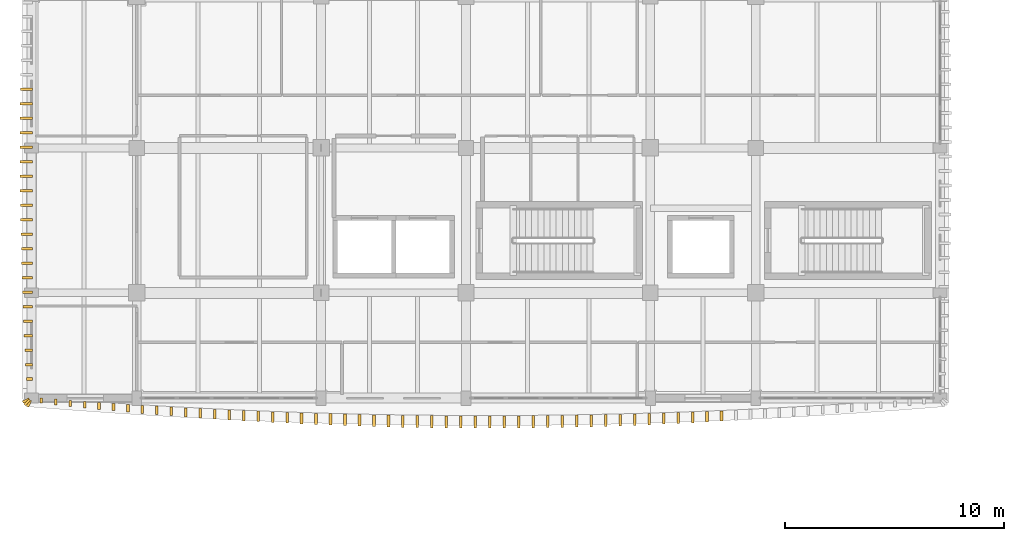
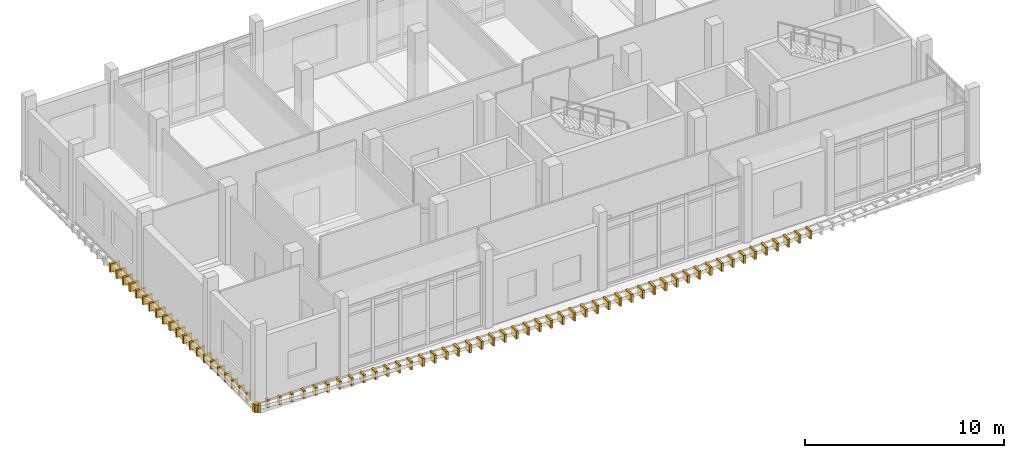
# One storey, part 34 of 39: 72 coverings.
"""IFC4 building model written with IfcOpenShell, lengths in metres."""

from ifc_helpers import new_model, si_unit, direction, frame, origin, origin_2d, place, context, subcontext, project, spatial, rectangle, extrude, material, layer, layer_set, type_object, element, save


model = new_model("IFC4")

# Units and contexts
model_context = context("Model", 3, precision=1e-05, world=origin(), true_north=direction((0.0, 1.0)))
body_context = subcontext(model_context, "Body", "Model", "MODEL_VIEW")
ifc_project = project(units=[si_unit("LENGTHUNIT", "METRE"), si_unit("AREAUNIT", "SQUARE_METRE"), si_unit("VOLUMEUNIT", "CUBIC_METRE"), si_unit("PLANEANGLEUNIT", "RADIAN"), si_unit("MASSUNIT", "GRAM", prefix="KILO")], contexts=[model_context])

# Site, building, storey
site_placement = place(None, origin())
site = spatial("IfcSite", under=ifc_project, at=site_placement, CompositionType="ELEMENT")
building_placement = place(site_placement, origin())
building = spatial("IfcBuilding", under=site, at=building_placement, Name="Dornvale Research Institute", CompositionType="ELEMENT")
storey_placement = place(building_placement, frame((0.0, 0.0, 24.60009765625)))
storey = spatial("IfcBuildingStorey", under=building, at=storey_placement, Name="L05", CompositionType="ELEMENT", Elevation=24.60009765625)

# Coverings
ifc_material = material(Name="Polychrome Glazed Terracotta Visor Rib Ceramic", Category="masonry")
ifc_layer = layer(ifc_material, 0.1201171875)
ifc_layer_set = layer_set([ifc_layer], Name="Polychrome Glazed Terracotta Visor Rib Ceramic")
covering_type = type_object("IfcCoveringType", Name="Covering_VisorBlade_Main", PredefinedType="CLADDING", material=ifc_layer_set)
covering_1_placement = place(storey_placement, frame((0.448486328125, 98.88720703125, -0.489990234375), z_axis=(0.0, 0.0, 1.0), x_axis=(0.0, 1.0, 0.0)))
element("IfcCovering", 1, at=covering_1_placement, inside=storey, type_object=covering_type, Name="L05 V5 canted glazed terracotta visor blade #787", PredefinedType="CLADDING", context=body_context, shape_type="SweptSolid", body=[
    extrude(rectangle(XDim=0.235107421875, YDim=0.1201171875, at=origin_2d()), origin(), (0.0, 0.0, 1.0), 0.5),
])
covering_2_placement = place(storey_placement, frame((1.106689453125, 98.8251953125, -0.489990234375), z_axis=(0.0, 0.0, 1.0), x_axis=(0.0, 1.0, 0.0)))
element("IfcCovering", 2, at=covering_2_placement, inside=storey, type_object=covering_type, Name="L05 V5 canted glazed terracotta visor blade #788", PredefinedType="CLADDING", context=body_context, shape_type="SweptSolid", body=[
    extrude(rectangle(XDim=0.2548828125, YDim=0.1201171875, at=origin_2d()), origin(), (0.0, 0.0, 1.0), 0.5),
])
covering_3_placement = place(storey_placement, frame((1.7646484375, 98.763671875, -0.489990234375), z_axis=(0.0, 0.0, 1.0), x_axis=(0.0, 1.0, 0.0)))
element("IfcCovering", 3, at=covering_3_placement, inside=storey, type_object=covering_type, Name="L05 V5 canted glazed terracotta visor blade #789", PredefinedType="CLADDING", context=body_context, shape_type="SweptSolid", body=[
    extrude(rectangle(XDim=0.27587890625, YDim=0.1201171875, at=origin_2d()), origin(), (0.0, 0.0, 1.0), 0.5),
])
covering_4_placement = place(storey_placement, frame((2.4228515625, 98.70654296875, -0.489990234375), z_axis=(0.0, 0.0, 1.0), x_axis=(0.0, 1.0, 0.0)))
element("IfcCovering", 4, at=covering_4_placement, inside=storey, type_object=covering_type, Name="L05 V5 canted glazed terracotta visor blade #790", PredefinedType="CLADDING", context=body_context, shape_type="SweptSolid", body=[
    extrude(rectangle(XDim=0.294921875, YDim=0.1201171875, at=origin_2d()), origin(), (0.0, 0.0, 1.0), 0.5),
])
covering_5_placement = place(storey_placement, frame((3.0810546875, 98.6494140625, -0.489990234375), z_axis=(0.0, 0.0, 1.0), x_axis=(0.0, 1.0, 0.0)))
element("IfcCovering", 5, at=covering_5_placement, inside=storey, type_object=covering_type, Name="L05 V5 canted glazed terracotta visor blade #791", PredefinedType="CLADDING", context=body_context, shape_type="SweptSolid", body=[
    extrude(rectangle(XDim=0.31396484375, YDim=0.1201171875, at=origin_2d()), origin(), (0.0, 0.0, 1.0), 0.5),
])
covering_6_placement = place(storey_placement, frame((3.739501953125, 98.595703125, -0.489990234375), z_axis=(0.0, 0.0, 1.0), x_axis=(0.0, 1.0, 0.0)))
element("IfcCovering", 6, at=covering_6_placement, inside=storey, type_object=covering_type, Name="L05 V5 canted glazed terracotta visor blade #792", PredefinedType="CLADDING", context=body_context, shape_type="SweptSolid", body=[
    extrude(rectangle(XDim=0.33203125, YDim=0.1201171875, at=origin_2d()), origin(), (0.0, 0.0, 1.0), 0.5),
])
covering_7_placement = place(storey_placement, frame((4.398193359375, 98.5439453125, -0.489990234375), z_axis=(0.0, 0.0, 1.0), x_axis=(0.0, 1.0, 0.0)))
element("IfcCovering", 7, at=covering_7_placement, inside=storey, type_object=covering_type, Name="L05 V5 canted glazed terracotta visor blade #793", PredefinedType="CLADDING", context=body_context, shape_type="SweptSolid", body=[
    extrude(rectangle(XDim=0.34912109375, YDim=0.1201171875, at=origin_2d()), origin(), (0.0, 0.0, 1.0), 0.5),
])
covering_8_placement = place(storey_placement, frame((5.056884765625, 98.49267578125, -0.489990234375), z_axis=(0.0, 0.0, 1.0), x_axis=(0.0, 1.0, 0.0)))
element("IfcCovering", 8, at=covering_8_placement, inside=storey, type_object=covering_type, Name="L05 V5 canted glazed terracotta visor blade #794", PredefinedType="CLADDING", context=body_context, shape_type="SweptSolid", body=[
    extrude(rectangle(XDim=0.365966796875, YDim=0.1201171875, at=origin_2d()), origin(), (0.0, 0.0, 1.0), 0.5),
])
covering_9_placement = place(storey_placement, frame((5.7158203125, 98.44580078125, -0.489990234375), z_axis=(0.0, 0.0, 1.0), x_axis=(0.0, 1.0, 0.0)))
element("IfcCovering", 9, at=covering_9_placement, inside=storey, type_object=covering_type, Name="L05 V5 canted glazed terracotta visor blade #795", PredefinedType="CLADDING", context=body_context, shape_type="SweptSolid", body=[
    extrude(rectangle(XDim=0.382080078125, YDim=0.1201171875, at=origin_2d()), origin(), (0.0, 0.0, 1.0), 0.5),
])
covering_10_placement = place(storey_placement, frame((6.37451171875, 98.3994140625, -0.489990234375), z_axis=(0.0, 0.0, 1.0), x_axis=(0.0, 1.0, 0.0)))
element("IfcCovering", 10, at=covering_10_placement, inside=storey, type_object=covering_type, Name="L05 V5 canted glazed terracotta visor blade #796", PredefinedType="CLADDING", context=body_context, shape_type="SweptSolid", body=[
    extrude(rectangle(XDim=0.39697265625, YDim=0.1201171875, at=origin_2d()), origin(), (0.0, 0.0, 1.0), 0.5),
])
covering_11_placement = place(storey_placement, frame((7.033447265625, 98.35546875, -0.489990234375), z_axis=(0.0, 0.0, 1.0), x_axis=(0.0, 1.0, 0.0)))
element("IfcCovering", 11, at=covering_11_placement, inside=storey, type_object=covering_type, Name="L05 V5 canted glazed terracotta visor blade #797", PredefinedType="CLADDING", context=body_context, shape_type="SweptSolid", body=[
    extrude(rectangle(XDim=0.412109375, YDim=0.1201171875, at=origin_2d()), origin(), (0.0, 0.0, 1.0), 0.5),
])
covering_12_placement = place(storey_placement, frame((7.692626953125, 98.31396484375, -0.489990234375), z_axis=(0.0, 0.0, 1.0), x_axis=(0.0, 1.0, 0.0)))
element("IfcCovering", 12, at=covering_12_placement, inside=storey, type_object=covering_type, Name="L05 V5 canted glazed terracotta visor blade #798", PredefinedType="CLADDING", context=body_context, shape_type="SweptSolid", body=[
    extrude(rectangle(XDim=0.426025390625, YDim=0.1201171875, at=origin_2d()), origin(), (0.0, 0.0, 1.0), 0.5),
])
covering_13_placement = place(storey_placement, frame((8.351806640625, 98.273193359375, -0.489990234375), z_axis=(0.0, 0.0, 1.0), x_axis=(0.0, 1.0, 0.0)))
element("IfcCovering", 13, at=covering_13_placement, inside=storey, type_object=covering_type, Name="L05 V5 canted glazed terracotta visor blade #799", PredefinedType="CLADDING", context=body_context, shape_type="SweptSolid", body=[
    extrude(rectangle(XDim=0.43896484375, YDim=0.1201171875, at=origin_2d()), origin(), (0.0, 0.0, 1.0), 0.5),
])
covering_14_placement = place(storey_placement, frame((9.010986328125, 98.236328125, -0.489990234375), z_axis=(0.0, 0.0, 1.0), x_axis=(0.0, 1.0, 0.0)))
element("IfcCovering", 14, at=covering_14_placement, inside=storey, type_object=covering_type, Name="L05 V5 canted glazed terracotta visor blade #800", PredefinedType="CLADDING", context=body_context, shape_type="SweptSolid", body=[
    extrude(rectangle(XDim=0.451904296875, YDim=0.1201171875, at=origin_2d()), origin(), (0.0, 0.0, 1.0), 0.5),
])
covering_15_placement = place(storey_placement, frame((9.67041015625, 98.199951171875, -0.489990234375), z_axis=(0.0, 0.0, 1.0), x_axis=(0.0, 1.0, 0.0)))
element("IfcCovering", 15, at=covering_15_placement, inside=storey, type_object=covering_type, Name="L05 V5 canted glazed terracotta visor blade #801", PredefinedType="CLADDING", context=body_context, shape_type="SweptSolid", body=[
    extrude(rectangle(XDim=0.464111328125, YDim=0.1201171875, at=origin_2d()), origin(), (0.0, 0.0, 1.0), 0.5),
])
covering_16_placement = place(storey_placement, frame((10.32958984375, 98.166748046875, -0.489990234375), z_axis=(0.0, 0.0, 1.0), x_axis=(0.0, 1.0, 0.0)))
element("IfcCovering", 16, at=covering_16_placement, inside=storey, type_object=covering_type, Name="L05 V5 canted glazed terracotta visor blade #802", PredefinedType="CLADDING", context=body_context, shape_type="SweptSolid", body=[
    extrude(rectangle(XDim=0.47509765625, YDim=0.1201171875, at=origin_2d()), origin(), (0.0, 0.0, 1.0), 0.5),
])
covering_17_placement = place(storey_placement, frame((10.9892578125, 98.1357421875, -0.489990234375), z_axis=(0.0, 0.0, 1.0), x_axis=(0.0, 1.0, 0.0)))
element("IfcCovering", 17, at=covering_17_placement, inside=storey, type_object=covering_type, Name="L05 V5 canted glazed terracotta visor blade #803", PredefinedType="CLADDING", context=body_context, shape_type="SweptSolid", body=[
    extrude(rectangle(XDim=0.485107421875, YDim=0.1201171875, at=origin_2d()), origin(), (0.0, 0.0, 1.0), 0.5),
])
covering_18_placement = place(storey_placement, frame((11.648681640625, 98.105224609375, -0.489990234375), z_axis=(0.0, 0.0, 1.0), x_axis=(0.0, 1.0, 0.0)))
element("IfcCovering", 18, at=covering_18_placement, inside=storey, type_object=covering_type, Name="L05 V5 canted glazed terracotta visor blade #804", PredefinedType="CLADDING", context=body_context, shape_type="SweptSolid", body=[
    extrude(rectangle(XDim=0.4951171875, YDim=0.1201171875, at=origin_2d()), origin(), (0.0, 0.0, 1.0), 0.5),
])
covering_19_placement = place(storey_placement, frame((12.308349609375, 98.0791015625, -0.489990234375), z_axis=(0.0, 0.0, 1.0), x_axis=(0.0, 1.0, 0.0)))
element("IfcCovering", 19, at=covering_19_placement, inside=storey, type_object=covering_type, Name="L05 V5 canted glazed terracotta visor blade #805", PredefinedType="CLADDING", context=body_context, shape_type="SweptSolid", body=[
    extrude(rectangle(XDim=0.50390625, YDim=0.1201171875, at=origin_2d()), origin(), (0.0, 0.0, 1.0), 0.5),
])
covering_20_placement = place(storey_placement, frame((12.968017578125, 98.052978515625, -0.489990234375), z_axis=(0.0, 0.0, 1.0), x_axis=(0.0, 1.0, 0.0)))
element("IfcCovering", 20, at=covering_20_placement, inside=storey, type_object=covering_type, Name="L05 V5 canted glazed terracotta visor blade #806", PredefinedType="CLADDING", context=body_context, shape_type="SweptSolid", body=[
    extrude(rectangle(XDim=0.512939453125, YDim=0.1201171875, at=origin_2d()), origin(), (0.0, 0.0, 1.0), 0.5),
])
covering_21_placement = place(storey_placement, frame((13.627685546875, 98.0302734375, -0.489990234375), z_axis=(0.0, 0.0, 1.0), x_axis=(0.0, 1.0, 0.0)))
element("IfcCovering", 21, at=covering_21_placement, inside=storey, type_object=covering_type, Name="L05 V5 canted glazed terracotta visor blade #807", PredefinedType="CLADDING", context=body_context, shape_type="SweptSolid", body=[
    extrude(rectangle(XDim=0.52001953125, YDim=0.1201171875, at=origin_2d()), origin(), (0.0, 0.0, 1.0), 0.5),
])
covering_22_placement = place(storey_placement, frame((14.28759765625, 98.00927734375, -0.489990234375), z_axis=(0.0, 0.0, 1.0), x_axis=(0.0, 1.0, 0.0)))
element("IfcCovering", 22, at=covering_22_placement, inside=storey, type_object=covering_type, Name="L05 V5 canted glazed terracotta visor blade #808", PredefinedType="CLADDING", context=body_context, shape_type="SweptSolid", body=[
    extrude(rectangle(XDim=0.527099609375, YDim=0.1201171875, at=origin_2d()), origin(), (0.0, 0.0, 1.0), 0.5),
])
covering_23_placement = place(storey_placement, frame((14.947265625, 97.98876953125, -0.489990234375), z_axis=(0.0, 0.0, 1.0), x_axis=(0.0, 1.0, 0.0)))
element("IfcCovering", 23, at=covering_23_placement, inside=storey, type_object=covering_type, Name="L05 V5 canted glazed terracotta visor blade #809", PredefinedType="CLADDING", context=body_context, shape_type="SweptSolid", body=[
    extrude(rectangle(XDim=0.533935546875, YDim=0.1201171875, at=origin_2d()), origin(), (0.0, 0.0, 1.0), 0.5),
])
covering_24_placement = place(storey_placement, frame((15.607177734375, 97.973388671875, -0.489990234375), z_axis=(0.0, 0.0, 1.0), x_axis=(0.0, 1.0, 0.0)))
element("IfcCovering", 24, at=covering_24_placement, inside=storey, type_object=covering_type, Name="L05 V5 canted glazed terracotta visor blade #810", PredefinedType="CLADDING", context=body_context, shape_type="SweptSolid", body=[
    extrude(rectangle(XDim=0.5390625, YDim=0.1201171875, at=origin_2d()), origin(), (0.0, 0.0, 1.0), 0.5),
])
covering_25_placement = place(storey_placement, frame((16.26708984375, 97.957763671875, -0.489990234375), z_axis=(0.0, 0.0, 1.0), x_axis=(0.0, 1.0, 0.0)))
element("IfcCovering", 25, at=covering_25_placement, inside=storey, type_object=covering_type, Name="L05 V5 canted glazed terracotta visor blade #811", PredefinedType="CLADDING", context=body_context, shape_type="SweptSolid", body=[
    extrude(rectangle(XDim=0.5439453125, YDim=0.1201171875, at=origin_2d()), origin(), (0.0, 0.0, 1.0), 0.5),
])
covering_26_placement = place(storey_placement, frame((16.927001953125, 97.944580078125, -0.489990234375), z_axis=(0.0, 0.0, 1.0), x_axis=(0.0, 1.0, 0.0)))
element("IfcCovering", 26, at=covering_26_placement, inside=storey, type_object=covering_type, Name="L05 V5 canted glazed terracotta visor blade #812", PredefinedType="CLADDING", context=body_context, shape_type="SweptSolid", body=[
    extrude(rectangle(XDim=0.549072265625, YDim=0.1201171875, at=origin_2d()), origin(), (0.0, 0.0, 1.0), 0.5),
])
covering_27_placement = place(storey_placement, frame((17.5869140625, 97.9345703125, -0.489990234375), z_axis=(0.0, 0.0, 1.0), x_axis=(0.0, 1.0, 0.0)))
element("IfcCovering", 27, at=covering_27_placement, inside=storey, type_object=covering_type, Name="L05 V5 canted glazed terracotta visor blade #813", PredefinedType="CLADDING", context=body_context, shape_type="SweptSolid", body=[
    extrude(rectangle(XDim=0.552001953125, YDim=0.1201171875, at=origin_2d()), origin(), (0.0, 0.0, 1.0), 0.5),
])
covering_28_placement = place(storey_placement, frame((18.246826171875, 97.924560546875, -0.489990234375), z_axis=(0.0, 0.0, 1.0), x_axis=(0.0, 1.0, 0.0)))
element("IfcCovering", 28, at=covering_28_placement, inside=storey, type_object=covering_type, Name="L05 V5 canted glazed terracotta visor blade #814", PredefinedType="CLADDING", context=body_context, shape_type="SweptSolid", body=[
    extrude(rectangle(XDim=0.554931640625, YDim=0.1201171875, at=origin_2d()), origin(), (0.0, 0.0, 1.0), 0.5),
])
covering_29_placement = place(storey_placement, frame((18.90673828125, 97.919189453125, -0.489990234375), z_axis=(0.0, 0.0, 1.0), x_axis=(0.0, 1.0, 0.0)))
element("IfcCovering", 29, at=covering_29_placement, inside=storey, type_object=covering_type, Name="L05 V5 canted glazed terracotta visor blade #815", PredefinedType="CLADDING", context=body_context, shape_type="SweptSolid", body=[
    extrude(rectangle(XDim=0.556884765625, YDim=0.1201171875, at=origin_2d()), origin(), (0.0, 0.0, 1.0), 0.5),
])
covering_30_placement = place(storey_placement, frame((19.56689453125, 97.913818359375, -0.489990234375), z_axis=(0.0, 0.0, 1.0), x_axis=(0.0, 1.0, 0.0)))
element("IfcCovering", 30, at=covering_30_placement, inside=storey, type_object=covering_type, Name="L05 V5 canted glazed terracotta visor blade #816", PredefinedType="CLADDING", context=body_context, shape_type="SweptSolid", body=[
    extrude(rectangle(XDim=0.55908203125, YDim=0.1201171875, at=origin_2d()), origin(), (0.0, 0.0, 1.0), 0.5),
])
for number, where, z_axis, x_axis, name in (
    (31, (20.226806640625, 97.911376953125, -0.489990234375), (0.0, 0.0, 1.0), (0.0, 1.0, 0.0), "L05 V5 canted glazed terracotta visor blade #817"),
    (32, (20.88671875, 97.911376953125, -0.489990234375), (0.0, 0.0, 1.0), (0.0, 1.0, 0.0), "L05 V5 canted glazed terracotta visor blade #818"),
):
    element("IfcCovering", number, at=place(storey_placement, frame(where, z_axis=z_axis, x_axis=x_axis)), inside=storey, type_object=covering_type, Name=name, PredefinedType="CLADDING", context=body_context, shape_type="SweptSolid", body=[
        extrude(rectangle(XDim=0.56005859375, YDim=0.1201171875, at=origin_2d()), origin(), (0.0, 0.0, 1.0), 0.5),
    ])
covering_31_placement = place(storey_placement, frame((21.546875, 97.912109375, -0.489990234375), z_axis=(0.0, 0.0, 1.0), x_axis=(0.0, 1.0, 0.0)))
element("IfcCovering", 33, at=covering_31_placement, inside=storey, type_object=covering_type, Name="L05 V5 canted glazed terracotta visor blade #819", PredefinedType="CLADDING", context=body_context, shape_type="SweptSolid", body=[
    extrude(rectangle(XDim=0.55908203125, YDim=0.1201171875, at=origin_2d()), origin(), (0.0, 0.0, 1.0), 0.5),
])
covering_32_placement = place(storey_placement, frame((22.206787109375, 97.916748046875, -0.489990234375), z_axis=(0.0, 0.0, 1.0), x_axis=(0.0, 1.0, 0.0)))
element("IfcCovering", 34, at=covering_32_placement, inside=storey, type_object=covering_type, Name="L05 V5 canted glazed terracotta visor blade #820", PredefinedType="CLADDING", context=body_context, shape_type="SweptSolid", body=[
    extrude(rectangle(XDim=0.55810546875, YDim=0.1201171875, at=origin_2d()), origin(), (0.0, 0.0, 1.0), 0.5),
])
covering_33_placement = place(storey_placement, frame((22.86669921875, 97.922119140625, -0.489990234375), z_axis=(0.0, 0.0, 1.0), x_axis=(0.0, 1.0, 0.0)))
element("IfcCovering", 35, at=covering_33_placement, inside=storey, type_object=covering_type, Name="L05 V5 canted glazed terracotta visor blade #821", PredefinedType="CLADDING", context=body_context, shape_type="SweptSolid", body=[
    extrude(rectangle(XDim=0.555908203125, YDim=0.1201171875, at=origin_2d()), origin(), (0.0, 0.0, 1.0), 0.5),
])
covering_34_placement = place(storey_placement, frame((23.526611328125, 97.9296875, -0.489990234375), z_axis=(0.0, 0.0, 1.0), x_axis=(0.0, 1.0, 0.0)))
element("IfcCovering", 36, at=covering_34_placement, inside=storey, type_object=covering_type, Name="L05 V5 canted glazed terracotta visor blade #822", PredefinedType="CLADDING", context=body_context, shape_type="SweptSolid", body=[
    extrude(rectangle(XDim=0.553955078125, YDim=0.1201171875, at=origin_2d()), origin(), (0.0, 0.0, 1.0), 0.5),
])
covering_35_placement = place(storey_placement, frame((24.186767578125, 97.9404296875, -0.489990234375), z_axis=(0.0, 0.0, 1.0), x_axis=(0.0, 1.0, 0.0)))
element("IfcCovering", 37, at=covering_35_placement, inside=storey, type_object=covering_type, Name="L05 V5 canted glazed terracotta visor blade #823", PredefinedType="CLADDING", context=body_context, shape_type="SweptSolid", body=[
    extrude(rectangle(XDim=0.550048828125, YDim=0.1201171875, at=origin_2d()), origin(), (0.0, 0.0, 1.0), 0.5),
])
covering_36_placement = place(storey_placement, frame((24.8466796875, 97.951171875, -0.489990234375), z_axis=(0.0, 0.0, 1.0), x_axis=(0.0, 1.0, 0.0)))
element("IfcCovering", 38, at=covering_36_placement, inside=storey, type_object=covering_type, Name="L05 V5 canted glazed terracotta visor blade #824", PredefinedType="CLADDING", context=body_context, shape_type="SweptSolid", body=[
    extrude(rectangle(XDim=0.5458984375, YDim=0.1201171875, at=origin_2d()), origin(), (0.0, 0.0, 1.0), 0.5),
])
covering_37_placement = place(storey_placement, frame((25.506591796875, 97.966064453125, -0.489990234375), z_axis=(0.0, 0.0, 1.0), x_axis=(0.0, 1.0, 0.0)))
element("IfcCovering", 39, at=covering_37_placement, inside=storey, type_object=covering_type, Name="L05 V5 canted glazed terracotta visor blade #825", PredefinedType="CLADDING", context=body_context, shape_type="SweptSolid", body=[
    extrude(rectangle(XDim=0.5419921875, YDim=0.1201171875, at=origin_2d()), origin(), (0.0, 0.0, 1.0), 0.5),
])
covering_38_placement = place(storey_placement, frame((26.16650390625, 97.982177734375, -0.489990234375), z_axis=(0.0, 0.0, 1.0), x_axis=(0.0, 1.0, 0.0)))
element("IfcCovering", 40, at=covering_38_placement, inside=storey, type_object=covering_type, Name="L05 V5 canted glazed terracotta visor blade #826", PredefinedType="CLADDING", context=body_context, shape_type="SweptSolid", body=[
    extrude(rectangle(XDim=0.535888671875, YDim=0.1201171875, at=origin_2d()), origin(), (0.0, 0.0, 1.0), 0.5),
])
covering_39_placement = place(storey_placement, frame((26.826171875, 98.000244140625, -0.489990234375), z_axis=(0.0, 0.0, 1.0), x_axis=(0.0, 1.0, 0.0)))
element("IfcCovering", 41, at=covering_39_placement, inside=storey, type_object=covering_type, Name="L05 V5 canted glazed terracotta visor blade #827", PredefinedType="CLADDING", context=body_context, shape_type="SweptSolid", body=[
    extrude(rectangle(XDim=0.530029296875, YDim=0.1201171875, at=origin_2d()), origin(), (0.0, 0.0, 1.0), 0.5),
])
covering_40_placement = place(storey_placement, frame((27.48583984375, 98.020751953125, -0.489990234375), z_axis=(0.0, 0.0, 1.0), x_axis=(0.0, 1.0, 0.0)))
element("IfcCovering", 42, at=covering_40_placement, inside=storey, type_object=covering_type, Name="L05 V5 canted glazed terracotta visor blade #828", PredefinedType="CLADDING", context=body_context, shape_type="SweptSolid", body=[
    extrude(rectangle(XDim=0.52392578125, YDim=0.1201171875, at=origin_2d()), origin(), (0.0, 0.0, 1.0), 0.5),
])
covering_41_placement = place(storey_placement, frame((28.145751953125, 98.0419921875, -0.489990234375), z_axis=(0.0, 0.0, 1.0), x_axis=(0.0, 1.0, 0.0)))
element("IfcCovering", 43, at=covering_41_placement, inside=storey, type_object=covering_type, Name="L05 V5 canted glazed terracotta visor blade #829", PredefinedType="CLADDING", context=body_context, shape_type="SweptSolid", body=[
    extrude(rectangle(XDim=0.51611328125, YDim=0.1201171875, at=origin_2d()), origin(), (0.0, 0.0, 1.0), 0.5),
])
covering_42_placement = place(storey_placement, frame((28.805419921875, 98.067626953125, -0.489990234375), z_axis=(0.0, 0.0, 1.0), x_axis=(0.0, 1.0, 0.0)))
element("IfcCovering", 44, at=covering_42_placement, inside=storey, type_object=covering_type, Name="L05 V5 canted glazed terracotta visor blade #830", PredefinedType="CLADDING", context=body_context, shape_type="SweptSolid", body=[
    extrude(rectangle(XDim=0.508056640625, YDim=0.1201171875, at=origin_2d()), origin(), (0.0, 0.0, 1.0), 0.5),
])
covering_43_placement = place(storey_placement, frame((29.465087890625, 98.09375, -0.489990234375), z_axis=(0.0, 0.0, 1.0), x_axis=(0.0, 1.0, 0.0)))
element("IfcCovering", 45, at=covering_43_placement, inside=storey, type_object=covering_type, Name="L05 V5 canted glazed terracotta visor blade #831", PredefinedType="CLADDING", context=body_context, shape_type="SweptSolid", body=[
    extrude(rectangle(XDim=0.4990234375, YDim=0.1201171875, at=origin_2d()), origin(), (0.0, 0.0, 1.0), 0.5),
])
covering_44_placement = place(storey_placement, frame((30.12451171875, 98.1220703125, -0.489990234375), z_axis=(0.0, 0.0, 1.0), x_axis=(0.0, 1.0, 0.0)))
element("IfcCovering", 46, at=covering_44_placement, inside=storey, type_object=covering_type, Name="L05 V5 canted glazed terracotta visor blade #832", PredefinedType="CLADDING", context=body_context, shape_type="SweptSolid", body=[
    extrude(rectangle(XDim=0.489990234375, YDim=0.1201171875, at=origin_2d()), origin(), (0.0, 0.0, 1.0), 0.5),
])
covering_45_placement = place(storey_placement, frame((30.7841796875, 98.153564453125, -0.489990234375), z_axis=(0.0, 0.0, 1.0), x_axis=(0.0, 1.0, 0.0)))
element("IfcCovering", 47, at=covering_45_placement, inside=storey, type_object=covering_type, Name="L05 V5 canted glazed terracotta visor blade #833", PredefinedType="CLADDING", context=body_context, shape_type="SweptSolid", body=[
    extrude(rectangle(XDim=0.47900390625, YDim=0.1201171875, at=origin_2d()), origin(), (0.0, 0.0, 1.0), 0.5),
])
covering_46_placement = place(storey_placement, frame((31.443603515625, 98.1845703125, -0.489990234375), z_axis=(0.0, 0.0, 1.0), x_axis=(0.0, 1.0, 0.0)))
element("IfcCovering", 48, at=covering_46_placement, inside=storey, type_object=covering_type, Name="L05 V5 canted glazed terracotta visor blade #834", PredefinedType="CLADDING", context=body_context, shape_type="SweptSolid", body=[
    extrude(rectangle(XDim=0.468994140625, YDim=0.1201171875, at=origin_2d()), origin(), (0.0, 0.0, 1.0), 0.5),
])
covering_47_placement = place(storey_placement, frame((-0.23193359375, 113.070068359375, -0.489990234375), z_axis=(0.0, 0.0, 1.0), x_axis=(1.0, 0.0, 0.0)))
element("IfcCovering", 49, at=covering_47_placement, inside=storey, type_object=covering_type, Name="L05 V5 canted glazed terracotta visor blade #958", PredefinedType="CLADDING", context=body_context, shape_type="SweptSolid", body=[
    extrude(rectangle(XDim=0.5439453125, YDim=0.1201171875, at=origin_2d()), origin(), (0.0, 0.0, 1.0), 0.5),
])
covering_48_placement = place(storey_placement, frame((-0.235595703125, 112.409912109375, -0.489990234375), z_axis=(0.0, 0.0, 1.0), x_axis=(1.0, 0.0, 0.0)))
element("IfcCovering", 50, at=covering_48_placement, inside=storey, type_object=covering_type, Name="L05 V5 canted glazed terracotta visor blade #959", PredefinedType="CLADDING", context=body_context, shape_type="SweptSolid", body=[
    extrude(rectangle(XDim=0.551025390625, YDim=0.1201171875, at=origin_2d()), origin(), (0.0, 0.0, 1.0), 0.5),
])
covering_49_placement = place(storey_placement, frame((-0.238037109375, 111.75, -0.489990234375), z_axis=(0.0, 0.0, 1.0), x_axis=(1.0, 0.0, 0.0)))
element("IfcCovering", 51, at=covering_49_placement, inside=storey, type_object=covering_type, Name="L05 V5 canted glazed terracotta visor blade #960", PredefinedType="CLADDING", context=body_context, shape_type="SweptSolid", body=[
    extrude(rectangle(XDim=0.555908203125, YDim=0.1201171875, at=origin_2d()), origin(), (0.0, 0.0, 1.0), 0.5),
])
covering_50_placement = place(storey_placement, frame((-0.239501953125, 111.090087890625, -0.489990234375), z_axis=(0.0, 0.0, 1.0), x_axis=(1.0, 0.0, 0.0)))
element("IfcCovering", 52, at=covering_50_placement, inside=storey, type_object=covering_type, Name="L05 V5 canted glazed terracotta visor blade #961", PredefinedType="CLADDING", context=body_context, shape_type="SweptSolid", body=[
    extrude(rectangle(XDim=0.55908203125, YDim=0.1201171875, at=origin_2d()), origin(), (0.0, 0.0, 1.0), 0.5),
])
covering_51_placement = place(storey_placement, frame((-0.239990234375, 110.429931640625, -0.489990234375), z_axis=(0.0, 0.0, 1.0), x_axis=(1.0, 0.0, 0.0)))
element("IfcCovering", 53, at=covering_51_placement, inside=storey, type_object=covering_type, Name="L05 V5 canted glazed terracotta visor blade #962", PredefinedType="CLADDING", context=body_context, shape_type="SweptSolid", body=[
    extrude(rectangle(XDim=0.56005859375, YDim=0.1201171875, at=origin_2d()), origin(), (0.0, 0.0, 1.0), 0.5),
])
covering_52_placement = place(storey_placement, frame((-0.239013671875, 109.77001953125, -0.489990234375), z_axis=(0.0, 0.0, 1.0), x_axis=(1.0, 0.0, 0.0)))
element("IfcCovering", 54, at=covering_52_placement, inside=storey, type_object=covering_type, Name="L05 V5 canted glazed terracotta visor blade #963", PredefinedType="CLADDING", context=body_context, shape_type="SweptSolid", body=[
    extrude(rectangle(XDim=0.55810546875, YDim=0.1201171875, at=origin_2d()), origin(), (0.0, 0.0, 1.0), 0.5),
])
covering_53_placement = place(storey_placement, frame((-0.237548828125, 109.110107421875, -0.489990234375), z_axis=(0.0, 0.0, 1.0), x_axis=(1.0, 0.0, 0.0)))
element("IfcCovering", 55, at=covering_53_placement, inside=storey, type_object=covering_type, Name="L05 V5 canted glazed terracotta visor blade #964", PredefinedType="CLADDING", context=body_context, shape_type="SweptSolid", body=[
    extrude(rectangle(XDim=0.554931640625, YDim=0.1201171875, at=origin_2d()), origin(), (0.0, 0.0, 1.0), 0.5),
])
covering_54_placement = place(storey_placement, frame((-0.234619140625, 108.449951171875, -0.489990234375), z_axis=(0.0, 0.0, 1.0), x_axis=(1.0, 0.0, 0.0)))
element("IfcCovering", 56, at=covering_54_placement, inside=storey, type_object=covering_type, Name="L05 V5 canted glazed terracotta visor blade #965", PredefinedType="CLADDING", context=body_context, shape_type="SweptSolid", body=[
    extrude(rectangle(XDim=0.549072265625, YDim=0.1201171875, at=origin_2d()), origin(), (0.0, 0.0, 1.0), 0.5),
])
covering_55_placement = place(storey_placement, frame((-0.23046875, 107.7900390625, -0.489990234375), z_axis=(0.0, 0.0, 1.0), x_axis=(1.0, 0.0, 0.0)))
element("IfcCovering", 57, at=covering_55_placement, inside=storey, type_object=covering_type, Name="L05 V5 canted glazed terracotta visor blade #966", PredefinedType="CLADDING", context=body_context, shape_type="SweptSolid", body=[
    extrude(rectangle(XDim=0.541015625, YDim=0.1201171875, at=origin_2d()), origin(), (0.0, 0.0, 1.0), 0.5),
])
covering_56_placement = place(storey_placement, frame((-0.22509765625, 107.1298828125, -0.489990234375), z_axis=(0.0, 0.0, 1.0), x_axis=(1.0, 0.0, 0.0)))
element("IfcCovering", 58, at=covering_56_placement, inside=storey, type_object=covering_type, Name="L05 V5 canted glazed terracotta visor blade #967", PredefinedType="CLADDING", context=body_context, shape_type="SweptSolid", body=[
    extrude(rectangle(XDim=0.530029296875, YDim=0.1201171875, at=origin_2d()), origin(), (0.0, 0.0, 1.0), 0.5),
])
covering_57_placement = place(storey_placement, frame((-0.218994140625, 106.469970703125, -0.489990234375), z_axis=(0.0, 0.0, 1.0), x_axis=(1.0, 0.0, 0.0)))
element("IfcCovering", 59, at=covering_57_placement, inside=storey, type_object=covering_type, Name="L05 V5 canted glazed terracotta visor blade #968", PredefinedType="CLADDING", context=body_context, shape_type="SweptSolid", body=[
    extrude(rectangle(XDim=0.51806640625, YDim=0.1201171875, at=origin_2d()), origin(), (0.0, 0.0, 1.0), 0.5),
])
covering_58_placement = place(storey_placement, frame((-0.21142578125, 105.81005859375, -0.489990234375), z_axis=(0.0, 0.0, 1.0), x_axis=(1.0, 0.0, 0.0)))
element("IfcCovering", 60, at=covering_58_placement, inside=storey, type_object=covering_type, Name="L05 V5 canted glazed terracotta visor blade #969", PredefinedType="CLADDING", context=body_context, shape_type="SweptSolid", body=[
    extrude(rectangle(XDim=0.5029296875, YDim=0.1201171875, at=origin_2d()), origin(), (0.0, 0.0, 1.0), 0.5),
])
covering_59_placement = place(storey_placement, frame((-0.202880859375, 105.14990234375, -0.489990234375), z_axis=(0.0, 0.0, 1.0), x_axis=(1.0, 0.0, 0.0)))
element("IfcCovering", 61, at=covering_59_placement, inside=storey, type_object=covering_type, Name="L05 V5 canted glazed terracotta visor blade #970", PredefinedType="CLADDING", context=body_context, shape_type="SweptSolid", body=[
    extrude(rectangle(XDim=0.486083984375, YDim=0.1201171875, at=origin_2d()), origin(), (0.0, 0.0, 1.0), 0.5),
])
covering_60_placement = place(storey_placement, frame((-0.193115234375, 104.489990234375, -0.489990234375), z_axis=(0.0, 0.0, 1.0), x_axis=(1.0, 0.0, 0.0)))
element("IfcCovering", 62, at=covering_60_placement, inside=storey, type_object=covering_type, Name="L05 V5 canted glazed terracotta visor blade #971", PredefinedType="CLADDING", context=body_context, shape_type="SweptSolid", body=[
    extrude(rectangle(XDim=0.466064453125, YDim=0.1201171875, at=origin_2d()), origin(), (0.0, 0.0, 1.0), 0.5),
])
covering_61_placement = place(storey_placement, frame((-0.1826171875, 103.830078125, -0.489990234375), z_axis=(0.0, 0.0, 1.0), x_axis=(1.0, 0.0, 0.0)))
element("IfcCovering", 63, at=covering_61_placement, inside=storey, type_object=covering_type, Name="L05 V5 canted glazed terracotta visor blade #972", PredefinedType="CLADDING", context=body_context, shape_type="SweptSolid", body=[
    extrude(rectangle(XDim=0.445068359375, YDim=0.1201171875, at=origin_2d()), origin(), (0.0, 0.0, 1.0), 0.5),
])
covering_62_placement = place(storey_placement, frame((-0.17041015625, 103.169921875, -0.489990234375), z_axis=(0.0, 0.0, 1.0), x_axis=(1.0, 0.0, 0.0)))
element("IfcCovering", 64, at=covering_62_placement, inside=storey, type_object=covering_type, Name="L05 V5 canted glazed terracotta visor blade #973", PredefinedType="CLADDING", context=body_context, shape_type="SweptSolid", body=[
    extrude(rectangle(XDim=0.4208984375, YDim=0.1201171875, at=origin_2d()), origin(), (0.0, 0.0, 1.0), 0.5),
])
covering_63_placement = place(storey_placement, frame((-0.157470703125, 102.510009765625, -0.489990234375), z_axis=(0.0, 0.0, 1.0), x_axis=(1.0, 0.0, 0.0)))
element("IfcCovering", 65, at=covering_63_placement, inside=storey, type_object=covering_type, Name="L05 V5 canted glazed terracotta visor blade #974", PredefinedType="CLADDING", context=body_context, shape_type="SweptSolid", body=[
    extrude(rectangle(XDim=0.39501953125, YDim=0.1201171875, at=origin_2d()), origin(), (0.0, 0.0, 1.0), 0.5),
])
covering_64_placement = place(storey_placement, frame((-0.1435546875, 101.85009765625, -0.489990234375), z_axis=(0.0, 0.0, 1.0), x_axis=(1.0, 0.0, 0.0)))
element("IfcCovering", 66, at=covering_64_placement, inside=storey, type_object=covering_type, Name="L05 V5 canted glazed terracotta visor blade #975", PredefinedType="CLADDING", context=body_context, shape_type="SweptSolid", body=[
    extrude(rectangle(XDim=0.366943359375, YDim=0.1201171875, at=origin_2d()), origin(), (0.0, 0.0, 1.0), 0.5),
])
covering_65_placement = place(storey_placement, frame((-0.12841796875, 101.18994140625, -0.489990234375), z_axis=(0.0, 0.0, 1.0), x_axis=(1.0, 0.0, 0.0)))
element("IfcCovering", 67, at=covering_65_placement, inside=storey, type_object=covering_type, Name="L05 V5 canted glazed terracotta visor blade #976", PredefinedType="CLADDING", context=body_context, shape_type="SweptSolid", body=[
    extrude(rectangle(XDim=0.3369140625, YDim=0.1201171875, at=origin_2d()), origin(), (0.0, 0.0, 1.0), 0.5),
])
covering_66_placement = place(storey_placement, frame((-0.112060546875, 100.530029296875, -0.489990234375), z_axis=(0.0, 0.0, 1.0), x_axis=(1.0, 0.0, 0.0)))
element("IfcCovering", 68, at=covering_66_placement, inside=storey, type_object=covering_type, Name="L05 V5 canted glazed terracotta visor blade #977", PredefinedType="CLADDING", context=body_context, shape_type="SweptSolid", body=[
    extrude(rectangle(XDim=0.303955078125, YDim=0.1201171875, at=origin_2d()), origin(), (0.0, 0.0, 1.0), 0.5),
])
covering_67_placement = place(storey_placement, frame((-0.094482421875, 99.8701171875, -0.489990234375), z_axis=(0.0, 0.0, 1.0), x_axis=(1.0, 0.0, 0.0)))
element("IfcCovering", 69, at=covering_67_placement, inside=storey, type_object=covering_type, Name="L05 V5 canted glazed terracotta visor blade #978", PredefinedType="CLADDING", context=body_context, shape_type="SweptSolid", body=[
    extrude(rectangle(XDim=0.26904296875, YDim=0.1201171875, at=origin_2d()), origin(), (0.0, 0.0, 1.0), 0.5),
])
for number, where, z_axis, x_axis, name in (
    (70, (-0.24462890625, 98.885986328125, -0.489990234375), (0.0, 0.0, 1.0), (-0.906307787037, -0.422618261741, 0.0), "L05 V5 corner-wrapping visor blade #979"),
    (71, (-0.19091796875, 98.80908203125, -0.489990234375), (0.0, 0.0, 1.0), (-0.707106781187, -0.707106781187, 0.0), "L05 V5 corner-wrapping visor blade #980"),
    (72, (-0.114013671875, 98.75537109375, -0.489990234375), (0.0, 0.0, 1.0), (-0.422618261741, -0.906307787037, 0.0), "L05 V5 corner-wrapping visor blade #981"),
):
    element("IfcCovering", number, at=place(storey_placement, frame(where, z_axis=z_axis, x_axis=x_axis)), inside=storey, type_object=covering_type, Name=name, PredefinedType="CLADDING", context=body_context, shape_type="SweptSolid", body=[
        extrude(rectangle(XDim=0.320068359375, YDim=0.1201171875, at=origin_2d()), origin(), (0.0, 0.0, 1.0), 0.5),
    ])

save(model, "model.ifc")
